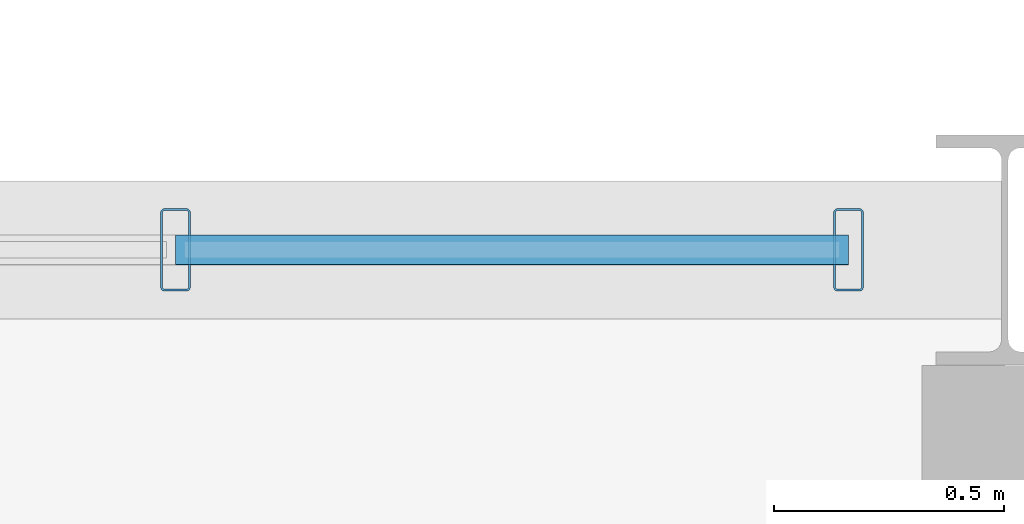
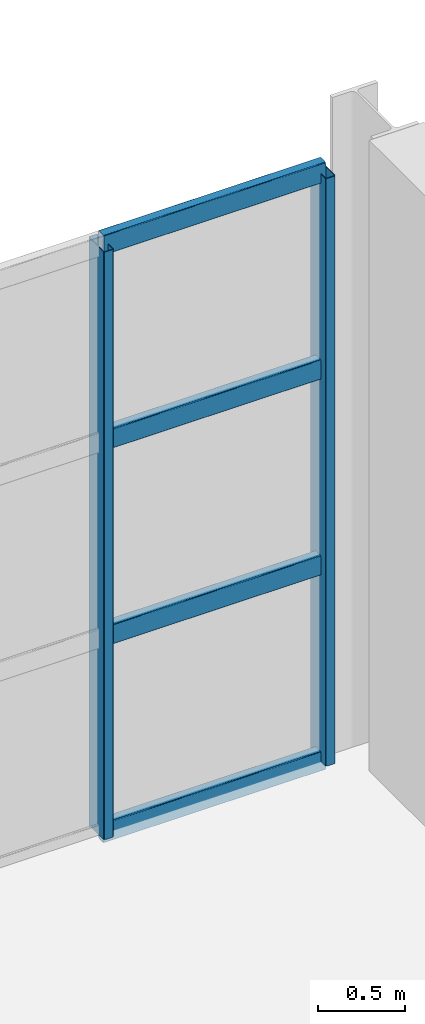
# One storey, part 118 of 153: 6 members, 1 element without a shape of its own.
"""IFC4 building model written with IfcOpenShell, lengths in metres."""

from ifc_helpers import new_model, si_unit, derived_unit, direction, frame, origin, origin_2d, place, context, subcontext, project, spatial, hollow_rectangle, extrude, material, material_profile, profile_set, type_object, element, aggregate, save


model = new_model("IFC4")

# Units and contexts
model_context = context("Model", 3, precision=1e-05, world=origin(), true_north=direction((0.0, 1.0)))
body_context = subcontext(model_context, "Body", "Model", "MODEL_VIEW")
ifc_project = project(units=[si_unit("LENGTHUNIT", "METRE"), si_unit("AREAUNIT", "SQUARE_METRE"), si_unit("VOLUMEUNIT", "CUBIC_METRE"), si_unit("PLANEANGLEUNIT", "RADIAN"), si_unit("MASSUNIT", "GRAM", prefix="KILO"), derived_unit("THERMALTRANSMITTANCEUNIT", [(si_unit("POWERUNIT", "WATT"), 1), (si_unit("LENGTHUNIT", "METRE"), -2), (si_unit("THERMODYNAMICTEMPERATUREUNIT", "KELVIN"), -1)])], contexts=[model_context])

# Site, building, storey
site_placement = place(None, origin())
site = spatial("IfcSite", under=ifc_project, at=site_placement, CompositionType="ELEMENT")
building_placement = place(site_placement, origin())
building = spatial("IfcBuilding", under=site, at=building_placement, Name="Keldorne Ridge Multi-Sports Centre", CompositionType="ELEMENT")
storey_placement = place(building_placement, frame((0.0, 0.0, 9.60009765625)))
storey = spatial("IfcBuildingStorey", under=building, at=storey_placement, Name="L02", CompositionType="ELEMENT", Elevation=9.60009765625)

# Curtain wall, members
ifc_material = material(Name="Anodized aluminium", Category="aluminium")
curtain_wall_type = type_object("IfcCurtainWallType", Name="CW-CW-01", PredefinedType="NOTDEFINED", material=ifc_material)
curtain_wall_placement = place(storey_placement, origin())
curtain_wall = element("IfcCurtainWall", 1, at=curtain_wall_placement, inside=storey, type_object=curtain_wall_type, Name="Upper Courts north glazing 137", PredefinedType="NOTDEFINED")
ifc_material_profile_1 = material_profile(ifc_material, hollow_rectangle(XDim=0.06494140625, YDim=0.179931640625, WallThickness=0.00439453125, InnerFilletRadius=0.00439453125, OuterFilletRadius=0.009033203125, at=origin_2d()), Name="ALU MULLION 180x65x4.5")
ifc_profile_set_1 = profile_set([ifc_material_profile_1], Name="Anodized aluminium")
member_type_1 = type_object("IfcMemberType", Name="MEM-ML-01", PredefinedType="MULLION", material=ifc_profile_set_1)
member_1_placement = place(storey_placement, frame((167.659912109375, 54.0, 0.0), z_axis=(0.0, 0.0, 1.0), x_axis=(1.0, 0.0, 0.0)))
member_1 = element("IfcMember", 2, at=member_1_placement, type_object=member_type_1, Name="CW-137 vertical mullion 1", PredefinedType="MULLION", context=body_context, shape_type="SweptSolid", body=[
    extrude(hollow_rectangle(XDim=0.06494140625, YDim=0.179931640625, WallThickness=0.00439453125, InnerFilletRadius=0.00439453125, OuterFilletRadius=0.009033203125, at=origin_2d()), origin(), (0.0, 0.0, 1.0), 4.099853515625),
])
member_2_placement = place(storey_placement, frame((166.196044921875, 54.0, 0.0), z_axis=(0.0, 0.0, 1.0), x_axis=(1.0, 0.0, 0.0)))
member_2 = element("IfcMember", 3, at=member_2_placement, type_object=member_type_1, Name="CW-137 vertical mullion 2", PredefinedType="MULLION", context=body_context, shape_type="SweptSolid", body=[
    extrude(hollow_rectangle(XDim=0.06494140625, YDim=0.179931640625, WallThickness=0.00439453125, InnerFilletRadius=0.00439453125, OuterFilletRadius=0.009033203125, at=origin_2d()), origin(), (0.0, 0.0, 1.0), 4.099853515625),
])
ifc_material_profile_2 = material_profile(ifc_material, hollow_rectangle(XDim=0.06494140625, YDim=0.139892578125, WallThickness=0.00439453125, InnerFilletRadius=0.00439453125, OuterFilletRadius=0.009033203125, at=origin_2d()), Name="ALU TRANSOM 140x65x4.5")
ifc_profile_set_2 = profile_set([ifc_material_profile_2], Name="Anodized aluminium")
member_type_2 = type_object("IfcMemberType", Name="MEM-TR-01", PredefinedType="USERDEFINED", material=ifc_profile_set_2)
member_3_placement = place(storey_placement, frame((167.659912109375, 54.0, 0.0), z_axis=(-1.0, 0.0, 0.0), x_axis=(0.0, -1.0, 0.0)))
member_3 = element("IfcMember", 4, at=member_3_placement, type_object=member_type_2, Name="CW-137 transom 1.1", ObjectType="TRANSOM", PredefinedType="USERDEFINED", context=body_context, shape_type="SweptSolid", body=[
    extrude(hollow_rectangle(XDim=0.06494140625, YDim=0.139892578125, WallThickness=0.00439453125, InnerFilletRadius=0.00439453125, OuterFilletRadius=0.009033203125, at=origin_2d()), origin(), (0.0, 0.0, 1.0), 1.4638671875),
])
member_4_placement = place(storey_placement, frame((167.659912109375, 54.0, 1.36669921875), z_axis=(-1.0, 0.0, 0.0), x_axis=(0.0, -1.0, 0.0)))
member_4 = element("IfcMember", 5, at=member_4_placement, type_object=member_type_2, Name="CW-137 transom 1.2", ObjectType="TRANSOM", PredefinedType="USERDEFINED", context=body_context, shape_type="SweptSolid", body=[
    extrude(hollow_rectangle(XDim=0.06494140625, YDim=0.139892578125, WallThickness=0.00439453125, InnerFilletRadius=0.00439453125, OuterFilletRadius=0.009033203125, at=origin_2d()), origin(), (0.0, 0.0, 1.0), 1.4638671875),
])
member_5_placement = place(storey_placement, frame((167.659912109375, 54.0, 2.733154296875), z_axis=(-1.0, 0.0, 0.0), x_axis=(0.0, -1.0, 0.0)))
member_5 = element("IfcMember", 6, at=member_5_placement, type_object=member_type_2, Name="CW-137 transom 1.3", ObjectType="TRANSOM", PredefinedType="USERDEFINED", context=body_context, shape_type="SweptSolid", body=[
    extrude(hollow_rectangle(XDim=0.06494140625, YDim=0.139892578125, WallThickness=0.00439453125, InnerFilletRadius=0.00439453125, OuterFilletRadius=0.009033203125, at=origin_2d()), origin(), (0.0, 0.0, 1.0), 1.4638671875),
])
member_6_placement = place(storey_placement, frame((167.659912109375, 54.0, 4.099853515625), z_axis=(-1.0, 0.0, 0.0), x_axis=(0.0, -1.0, 0.0)))
member_6 = element("IfcMember", 7, at=member_6_placement, type_object=member_type_2, Name="CW-137 transom 1.4", ObjectType="TRANSOM", PredefinedType="USERDEFINED", context=body_context, shape_type="SweptSolid", body=[
    extrude(hollow_rectangle(XDim=0.06494140625, YDim=0.139892578125, WallThickness=0.00439453125, InnerFilletRadius=0.00439453125, OuterFilletRadius=0.009033203125, at=origin_2d()), origin(), (0.0, 0.0, 1.0), 1.4638671875),
])
aggregate(curtain_wall, [member_1, member_2, member_3, member_4, member_5, member_6])

save(model, "model.ifc")
